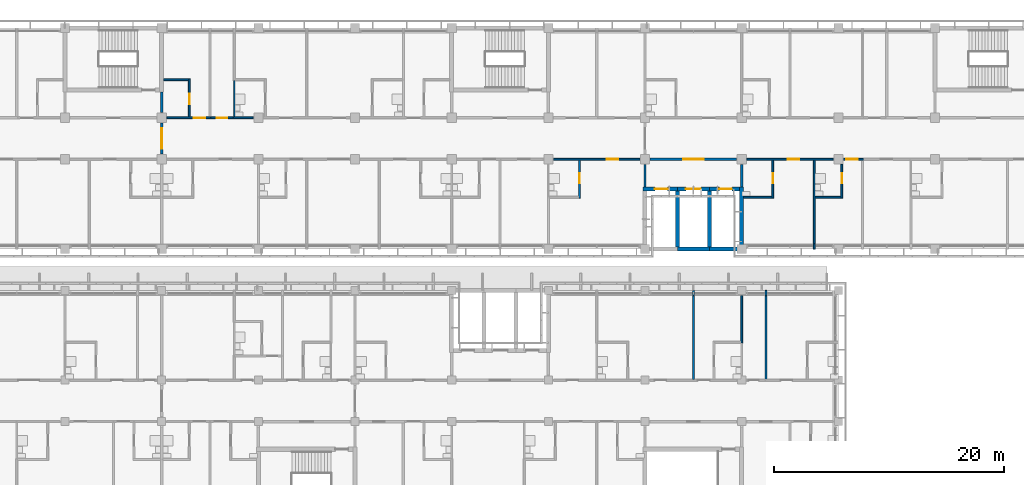
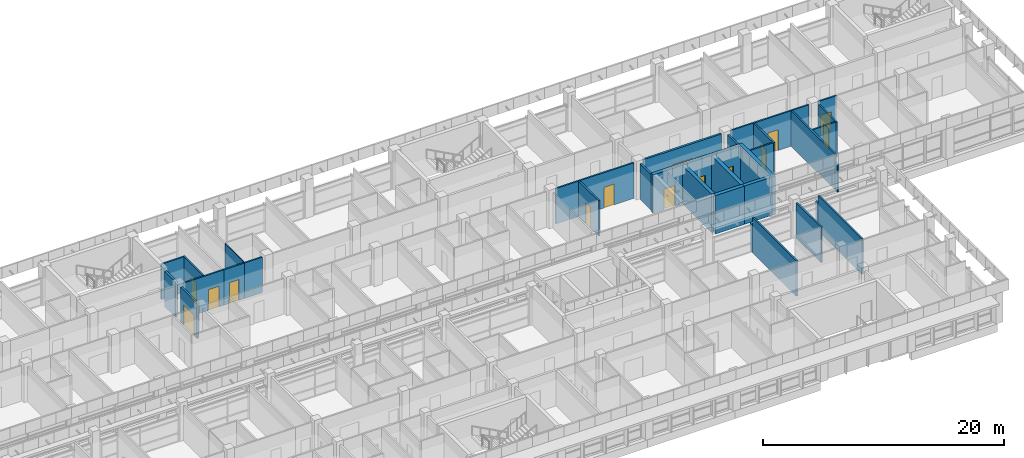
# One storey, part 37 of 71: 34 walls, 14 doors, 14 openings.
"""IFC4 building model written with IfcOpenShell, lengths in metres."""

import ifcopenshell
import ifcopenshell.guid

model = None  # the IFC model being written
_history = None  # IfcOwnerHistory: only IFC2X3 demands one
_inside = {}  # id of a spatial element -> (the spatial element, [elements in it])
_under = {}  # id of a project, library or spatial element -> (it, [spatial elements below it])
_declared = {}  # id of a project -> (the project, [libraries it declares])
_typed = {}  # id of a type object -> (the type object, [elements of that type])
_made_of = {}  # id of a material, layer set ... -> (it, [elements and type objects made of it])


def new_model(schema):
    """Start an empty IFC model of exactly this schema.

    Asked for "IFC4X3", IfcOpenShell would pick the latest addendum, in which some entities
    have other attributes; the version numbers below select the first issue.
    IFC2X3 requires an IfcOwnerHistory on every rooted entity: one is made here for all.
    """
    global model, _history
    if schema == "IFC4X3":
        model = ifcopenshell.file(schema_version=(4, 3, 0, 0))
    else:
        model = ifcopenshell.file(schema=schema)
    _inside.clear()
    _under.clear()
    _declared.clear()
    _typed.clear()
    _made_of.clear()
    _history = None
    if model.schema == "IFC2X3":
        org = make("IfcOrganization", Name="unknown")
        user = make(
            "IfcPersonAndOrganization",
            ThePerson=make("IfcPerson", FamilyName="unknown"),
            TheOrganization=org,
        )
        app = make(
            "IfcApplication",
            ApplicationDeveloper=org,
            Version="unknown",
            ApplicationFullName="unknown",
            ApplicationIdentifier="unknown",
        )
        _history = make(
            "IfcOwnerHistory",
            OwningUser=user,
            OwningApplication=app,
            ChangeAction="ADDED",
            CreationDate=0,
        )
    return model


def make(cls, **values):
    """One entity of the class cls with the attributes given. An attribute that is None is left unset."""
    return model.create_entity(
        cls, **{name: value for name, value in values.items() if value is not None}
    )


def rooted(cls, **values):
    """An entity with a GlobalId (a new one), such as an element, a storey or a relation."""
    return make(cls, GlobalId=ifcopenshell.guid.new(), OwnerHistory=_history, **values)


def si_unit(unit_type, name, prefix=None):
    """IfcSIUnit, for example si_unit("LENGTHUNIT", "METRE", prefix="MILLI")."""
    return make("IfcSIUnit", UnitType=unit_type, Prefix=prefix, Name=name)


def assignment(units):
    """IfcUnitAssignment: the units of a project."""
    return None if units is None else make("IfcUnitAssignment", Units=units)


def point(xyz):
    """IfcCartesianPoint."""
    return None if xyz is None else make("IfcCartesianPoint", Coordinates=xyz)


def direction(xyz):
    """IfcDirection."""
    return None if xyz is None else make("IfcDirection", DirectionRatios=xyz)


def frame(location, z_axis=None, x_axis=None):
    """IfcAxis2Placement3D, a coordinate frame: its origin and axes. An axis left out is left unset."""
    return make(
        "IfcAxis2Placement3D",
        Location=point(location),
        Axis=direction(z_axis),
        RefDirection=direction(x_axis),
    )


def frame_2d(location, x_axis=None):
    """IfcAxis2Placement2D, a coordinate frame in the plane: its origin and x axis."""
    return make(
        "IfcAxis2Placement2D", Location=point(location), RefDirection=direction(x_axis)
    )


def origin():
    """The frame at (0, 0, 0) with its axes left unset."""
    return frame((0.0, 0.0, 0.0))


def place(relative_to, where):
    """IfcLocalPlacement: puts the frame where relative to a parent placement (None: the world)."""
    return make(
        "IfcLocalPlacement", PlacementRelTo=relative_to, RelativePlacement=where
    )


def context(
    kind, dimensions, precision=None, world=None, true_north=None, identifier=None
):
    """IfcGeometricRepresentationContext, for example the 3D "Model" context."""
    return make(
        "IfcGeometricRepresentationContext",
        ContextIdentifier=identifier,
        ContextType=kind,
        CoordinateSpaceDimension=dimensions,
        Precision=precision,
        WorldCoordinateSystem=world,
        TrueNorth=true_north,
    )


def subcontext(parent, identifier, kind, view, scale=None):
    """IfcGeometricRepresentationSubContext, for example "Body" below "Model"."""
    return make(
        "IfcGeometricRepresentationSubContext",
        ContextIdentifier=identifier,
        ContextType=kind,
        ParentContext=parent,
        TargetScale=scale,
        TargetView=view,
    )


def project(units=None, contexts=None):
    """IfcProject with its units and contexts."""
    return rooted(
        "IfcProject",
        Name="project",
        RepresentationContexts=contexts,
        UnitsInContext=assignment(units),
    )


def spatial(cls, under=None, at=None, **own):
    """A site, building, storey or space (cls), placed at a placement, below another one or the project."""
    s = rooted(cls, ObjectPlacement=at, **own)
    if under is not None:
        _under.setdefault(under.id(), (under, []))[1].append(s)
    return s


def profile(cls, at=None, kind="AREA", **sizes):
    """A parametric profile (cls). Its sizes go by their IFC names, for example OverallWidth=200.0."""
    return make(cls, ProfileType=kind, Position=at, **sizes)


def rectangle(**sizes):
    """IfcRectangleProfileDef."""
    return profile("IfcRectangleProfileDef", **sizes)


def extrude(swept, where, along, depth):
    """IfcExtrudedAreaSolid: the profile swept, set in the frame where, extruded along a direction by depth."""
    return make(
        "IfcExtrudedAreaSolid",
        SweptArea=swept,
        Position=where,
        ExtrudedDirection=direction(along),
        Depth=depth,
    )


def shape(context_of_items, identifier, shape_type, items):
    """IfcShapeRepresentation: the items that make up one representation, for example the "Body"."""
    return make(
        "IfcShapeRepresentation",
        ContextOfItems=context_of_items,
        RepresentationIdentifier=identifier,
        RepresentationType=shape_type,
        Items=items,
    )


def material(Name=None, Category=None):
    """IfcMaterial."""
    return make("IfcMaterial", Name=Name, Category=Category)


def layer(
    of_material, thickness, ventilated=None, Name=None, Category=None, Priority=None
):
    """IfcMaterialLayer: one layer of a wall or slab, of a material (None: an air gap)."""
    return make(
        "IfcMaterialLayer",
        Material=of_material,
        LayerThickness=thickness,
        IsVentilated=ventilated,
        Name=Name,
        Category=Category,
        Priority=Priority,
    )


def layer_set(layers, Name=None):
    """IfcMaterialLayerSet."""
    return make("IfcMaterialLayerSet", MaterialLayers=layers, LayerSetName=Name)


def made_of(thing, what):
    """Note that an element or type object is made of a material, layer set ...; save() writes the relation."""
    if what is not None:
        _made_of.setdefault(what.id(), (what, []))[1].append(thing)
    return thing


def type_object(cls, material=None, **own):
    """A type object (cls), such as IfcWallType, which elements share."""
    return made_of(rooted(cls, **own), material)


def element(
    cls,
    number,
    at=None,
    inside=None,
    cuts=None,
    type_object=None,
    material=None,
    context=None,
    identifier="Body",
    shape_type=None,
    held_by="IfcProductDefinitionShape",
    body=None,
    shapes=None,
    **own,
):
    """One element of the class cls, such as IfcWall. Its Tag is "e" and its number.

    at: its placement. inside: the storey or other place that contains it. cuts: it is an
    opening in that element (IfcRelVoidsElement). A single representation is given by context,
    identifier, shape_type and body (its items); several are given by shapes. held_by: the class
    of the entity that holds the representations. save() writes the other relations.
    """
    e = rooted(cls, Tag="e%d" % number, ObjectPlacement=at, **own)
    if body is not None:
        shapes = [shape(context, identifier, shape_type, body)]
    if shapes is not None:
        e.Representation = make(held_by, Representations=shapes)
    if inside is not None:
        _inside.setdefault(inside.id(), (inside, []))[1].append(e)
    if cuts is not None:
        rooted(
            "IfcRelVoidsElement", RelatingBuildingElement=cuts, RelatedOpeningElement=e
        )
    if type_object is not None:
        _typed.setdefault(type_object.id(), (type_object, []))[1].append(e)
    return made_of(e, material)


def fill(opening, filler):
    """IfcRelFillsElement: the door or window that sits in an opening."""
    return rooted(
        "IfcRelFillsElement",
        RelatingOpeningElement=opening,
        RelatedBuildingElement=filler,
    )


def aggregate(whole, parts):
    """IfcRelAggregates: a whole, such as a stair, and the parts it consists of."""
    return rooted("IfcRelAggregates", RelatingObject=whole, RelatedObjects=parts)


def save(model, path):
    """Write the relations noted so far, then the file.

    IfcRelAggregates (storeys below a building ...), IfcRelContainedInSpatialStructure (elements
    in a storey), IfcRelDefinesByType, IfcRelAssociatesMaterial and IfcRelDeclares: one each for
    every whole, place, type object, material and project.
    """
    for whole, parts in _under.values():
        aggregate(whole, parts)
    for where, things in _inside.values():
        rooted(
            "IfcRelContainedInSpatialStructure",
            RelatedElements=things,
            RelatingStructure=where,
        )
    for kind, things in _typed.values():
        rooted("IfcRelDefinesByType", RelatedObjects=things, RelatingType=kind)
    for what, things in _made_of.values():
        rooted("IfcRelAssociatesMaterial", RelatedObjects=things, RelatingMaterial=what)
    for by, libraries in _declared.values():
        rooted("IfcRelDeclares", RelatingContext=by, RelatedDefinitions=libraries)
    model.write(path)


model = new_model("IFC4")

# Units and contexts
model_context = context("Model", 3, precision=1e-05, world=origin(), true_north=direction((0.0, 1.0)))
body_context = subcontext(model_context, "Body", "Model", "MODEL_VIEW")
ifc_project = project(units=[si_unit("LENGTHUNIT", "METRE"), si_unit("AREAUNIT", "SQUARE_METRE"), si_unit("VOLUMEUNIT", "CUBIC_METRE"), si_unit("PLANEANGLEUNIT", "RADIAN"), si_unit("MASSUNIT", "GRAM", prefix="KILO")], contexts=[model_context])

# Site, building, storey
site_placement = place(None, origin())
site = spatial("IfcSite", under=ifc_project, at=site_placement, CompositionType="ELEMENT")
building_placement = place(site_placement, origin())
building = spatial("IfcBuilding", under=site, at=building_placement, Name="Bougainvillea Quay General Hospital", CompositionType="ELEMENT")
storey_placement = place(building_placement, frame((0.0, 0.0, 24.89990234375)))
storey = spatial("IfcBuildingStorey", under=building, at=storey_placement, Name="L05", CompositionType="ELEMENT", Elevation=24.89990234375)

# Walls
ifc_material_1 = material(Name="Gypsum board partition on steel studs", Category="steel")
ifc_layer_1 = layer(ifc_material_1, 0.10009765625)
ifc_layer_set_1 = layer_set([ifc_layer_1], Name="Gypsum board partition on steel studs")
wall_type_1 = type_object("IfcWallType", Name="Partition 100 Gypsum board partition", PredefinedType="PARTITIONING", material=ifc_layer_set_1)
wall_1_placement = place(storey_placement, frame((115.5, 151.875, 0.0), z_axis=(0.0, 0.0, 1.0), x_axis=(0.0, 1.0, 0.0)))
element("IfcWall", 1, at=wall_1_placement, inside=storey, type_object=wall_type_1, Name="Partition 100 mm", PredefinedType="PARTITIONING", context=body_context, shape_type="SweptSolid", body=[
    extrude(rectangle(XDim=3.14990234375, YDim=0.10009765625, at=frame_2d((1.574951171875, 0.0))), origin(), (0.0, 0.0, 1.0), 3.60009765625),
])
ifc_material_2 = material(Name="Gypsum board partition on steel studs, insulated", Category="steel")
ifc_layer_2 = layer(ifc_material_2, 0.14990234375)
ifc_layer_set_2 = layer_set([ifc_layer_2], Name="Gypsum board partition on steel studs, insulated")
wall_type_2 = type_object("IfcWallType", Name="Partition 150 Gypsum board partition", PredefinedType="PARTITIONING", material=ifc_layer_set_2)
wall_2_placement = place(storey_placement, frame((155.39990234375, 129.074951171875, 0.0), z_axis=(0.0, 0.0, 1.0), x_axis=(0.0, 1.0, 0.0)))
element("IfcWall", 2, at=wall_2_placement, inside=storey, type_object=wall_type_2, Name="Partition 150 mm", PredefinedType="PARTITIONING", context=body_context, shape_type="SweptSolid", body=[
    extrude(rectangle(XDim=7.275146484375, YDim=0.14990234375, at=frame_2d((3.6376953125, 0.0))), origin(), (0.0, 0.0, 1.0), 3.60009765625),
])
wall_3_placement = place(storey_placement, frame((155.39990234375, 136.35009765625, 0.0), z_axis=(0.0, 0.0, 1.0), x_axis=(0.0, 1.0, 0.0)))
element("IfcWall", 3, at=wall_3_placement, inside=storey, type_object=wall_type_2, Name="Partition 150 mm", PredefinedType="PARTITIONING", context=body_context, shape_type="SweptSolid", body=[
    extrude(rectangle(XDim=0.449951171875, YDim=0.14990234375, at=frame_2d((0.22509765625, 0.0))), origin(), (0.0, 0.0, 1.0), 2.780029296875),
])
wall_4_placement = place(storey_placement, frame((161.699951171875, 129.074951171875, 0.0), z_axis=(0.0, 0.0, 1.0), x_axis=(0.0, 1.0, 0.0)))
element("IfcWall", 4, at=wall_4_placement, inside=storey, type_object=wall_type_2, Name="Partition 150 mm", PredefinedType="PARTITIONING", context=body_context, shape_type="SweptSolid", body=[
    extrude(rectangle(XDim=7.275146484375, YDim=0.14990234375, at=frame_2d((3.6376953125, 0.0))), origin(), (0.0, 0.0, 1.0), 3.60009765625),
])
wall_5_placement = place(storey_placement, frame((161.699951171875, 136.35009765625, 0.0), z_axis=(0.0, 0.0, 1.0), x_axis=(0.0, 1.0, 0.0)))
element("IfcWall", 5, at=wall_5_placement, inside=storey, type_object=wall_type_2, Name="Partition 150 mm", PredefinedType="PARTITIONING", context=body_context, shape_type="SweptSolid", body=[
    extrude(rectangle(XDim=0.449951171875, YDim=0.14990234375, at=frame_2d((0.22509765625, 0.0))), origin(), (0.0, 0.0, 1.0), 2.780029296875),
])
wall_6_placement = place(storey_placement, frame((165.89990234375, 140.39990234375, 0.0), z_axis=(0.0, 0.0, 1.0), x_axis=(0.0, 1.0, 0.0)))
element("IfcWall", 6, at=wall_6_placement, inside=storey, type_object=wall_type_2, Name="Partition 150 mm", PredefinedType="PARTITIONING", context=body_context, shape_type="SweptSolid", body=[
    extrude(rectangle(XDim=0.4501953125, YDim=0.14990234375, at=frame_2d((0.22509765625, 0.0))), origin(), (0.0, 0.0, 1.0), 2.780029296875),
])
wall_7_placement = place(storey_placement, frame((165.89990234375, 140.85009765625, 0.0), z_axis=(0.0, 0.0, 1.0), x_axis=(0.0, 1.0, 0.0)))
element("IfcWall", 7, at=wall_7_placement, inside=storey, type_object=wall_type_2, Name="Partition 150 mm", PredefinedType="PARTITIONING", context=body_context, shape_type="SweptSolid", body=[
    extrude(rectangle(XDim=7.27490234375, YDim=0.14990234375, at=frame_2d((3.637451171875, 0.0))), origin(), (0.0, 0.0, 1.0), 3.60009765625),
])
wall_8_placement = place(storey_placement, frame((159.60009765625, 132.22509765625, 0.0), z_axis=(0.0, 0.0, 1.0), x_axis=(0.0, 1.0, 0.0)))
element("IfcWall", 8, at=wall_8_placement, inside=storey, type_object=wall_type_2, Name="Partition 150 mm", PredefinedType="PARTITIONING", context=body_context, shape_type="SweptSolid", body=[
    extrude(rectangle(XDim=4.125, YDim=0.14990234375, at=frame_2d((2.0625, 0.0))), origin(), (0.0, 0.0, 1.0), 3.60009765625),
])

# Wall, opening, door
wall_9_placement = place(storey_placement, frame((111.60009765625, 151.875, 0.0), z_axis=(0.0, 0.0, 1.0), x_axis=(0.0, 1.0, 0.0)))
wall_9 = element("IfcWall", 9, at=wall_9_placement, inside=storey, type_object=wall_type_2, Name="Partition 150 mm", PredefinedType="PARTITIONING", context=body_context, shape_type="SweptSolid", body=[
    extrude(rectangle(XDim=3.300048828125, YDim=0.14990234375, at=frame_2d((1.64990234375, 0.0))), origin(), (0.0, 0.0, 1.0), 3.60009765625),
])
opening_1_placement = place(wall_9_placement, frame((1.125, 0.0, 0.0)))
opening_1 = element("IfcOpeningElement", 10, at=opening_1_placement, cuts=wall_9, Name="Opening L05.044", PredefinedType="OPENING", context=body_context, shape_type="SweptSolid", body=[
    extrude(rectangle(XDim=0.89990234375, YDim=2.10009765625, at=frame_2d((0.449951171875, 1.050048828125))), frame((0.0, 0.0849609375, 0.0), z_axis=(0.0, -1.0, 0.0), x_axis=(1.0, 0.0, 0.0)), (0.0, 0.0, 1.0), 0.169921875),
])
ifc_material_3 = material(Name="Solid-core timber door leaf in steel frame", Category="steel")
door_type_1 = type_object("IfcDoorType", Name="Single leaf door 900x2100", OperationType="NOTDEFINED", PredefinedType="DOOR", material=ifc_material_3)
door_1_placement = place(opening_1_placement, origin())
door_1 = element("IfcDoor", 11, at=door_1_placement, inside=storey, type_object=door_type_1, Name="DT07 L05.044", OperationType="SINGLE_SWING_LEFT", OverallHeight=2.10009765625, OverallWidth=0.89990234375, PredefinedType="DOOR", context=body_context, shape_type="SweptSolid", body=[
    extrude(rectangle(XDim=0.89990234375, YDim=2.10009765625, at=frame_2d((0.449951171875, 1.050048828125))), frame((0.0, 0.02490234375, 0.0), z_axis=(0.0, -1.0, 0.0), x_axis=(1.0, 0.0, 0.0)), (0.0, 0.0, 1.0), 0.050048828125),
])
fill(opening_1, door_1)

wall_10_placement = place(storey_placement, frame((145.5, 144.824951171875, 0.0), z_axis=(0.0, 0.0, 1.0), x_axis=(0.0, 1.0, 0.0)))
wall_10 = element("IfcWall", 12, at=wall_10_placement, inside=storey, type_object=wall_type_2, Name="Partition 150 mm", PredefinedType="PARTITIONING", context=body_context, shape_type="SweptSolid", body=[
    extrude(rectangle(XDim=3.300048828125, YDim=0.14990234375, at=frame_2d((1.64990234375, 0.0))), origin(), (0.0, 0.0, 1.0), 3.60009765625),
])
opening_2_placement = place(wall_10_placement, frame((1.27490234375, 0.0, 0.0)))
opening_2 = element("IfcOpeningElement", 13, at=opening_2_placement, cuts=wall_10, Name="Opening L05.042", PredefinedType="OPENING", context=body_context, shape_type="SweptSolid", body=[
    extrude(rectangle(XDim=0.89990234375, YDim=2.10009765625, at=frame_2d((0.449951171875, 1.050048828125))), frame((0.0, 0.0849609375, 0.0), z_axis=(0.0, -1.0, 0.0), x_axis=(1.0, 0.0, 0.0)), (0.0, 0.0, 1.0), 0.169921875),
])
door_2_placement = place(opening_2_placement, origin())
door_2 = element("IfcDoor", 14, at=door_2_placement, inside=storey, type_object=door_type_1, Name="DT07 L05.042", OperationType="SINGLE_SWING_RIGHT", OverallHeight=2.10009765625, OverallWidth=0.89990234375, PredefinedType="DOOR", context=body_context, shape_type="SweptSolid", body=[
    extrude(rectangle(XDim=0.89990234375, YDim=2.10009765625, at=frame_2d((0.449951171875, 1.050048828125))), frame((0.0, 0.02490234375, 0.0), z_axis=(0.0, -1.0, 0.0), x_axis=(1.0, 0.0, 0.0)), (0.0, 0.0, 1.0), 0.050048828125),
])
fill(opening_2, door_2)

wall_11_placement = place(storey_placement, frame((162.300048828125, 144.824951171875, 0.0), z_axis=(0.0, 0.0, 1.0), x_axis=(0.0, 1.0, 0.0)))
wall_11 = element("IfcWall", 15, at=wall_11_placement, inside=storey, type_object=wall_type_2, Name="Partition 150 mm", PredefinedType="PARTITIONING", context=body_context, shape_type="SweptSolid", body=[
    extrude(rectangle(XDim=3.300048828125, YDim=0.14990234375, at=frame_2d((1.64990234375, 0.0))), origin(), (0.0, 0.0, 1.0), 3.60009765625),
])
opening_3_placement = place(wall_11_placement, frame((1.27490234375, 0.0, 0.0)))
opening_3 = element("IfcOpeningElement", 16, at=opening_3_placement, cuts=wall_11, Name="Opening L05.060", PredefinedType="OPENING", context=body_context, shape_type="SweptSolid", body=[
    extrude(rectangle(XDim=0.89990234375, YDim=2.10009765625, at=frame_2d((0.449951171875, 1.050048828125))), frame((0.0, 0.0849609375, 0.0), z_axis=(0.0, -1.0, 0.0), x_axis=(1.0, 0.0, 0.0)), (0.0, 0.0, 1.0), 0.169921875),
])
door_3_placement = place(opening_3_placement, origin())
door_3 = element("IfcDoor", 17, at=door_3_placement, inside=storey, type_object=door_type_1, Name="DT07 L05.060", OperationType="SINGLE_SWING_RIGHT", OverallHeight=2.10009765625, OverallWidth=0.89990234375, PredefinedType="DOOR", context=body_context, shape_type="SweptSolid", body=[
    extrude(rectangle(XDim=0.89990234375, YDim=2.10009765625, at=frame_2d((0.449951171875, 1.050048828125))), frame((0.0, 0.02490234375, 0.0), z_axis=(0.0, -1.0, 0.0), x_axis=(1.0, 0.0, 0.0)), (0.0, 0.0, 1.0), 0.050048828125),
])
fill(opening_3, door_3)

wall_12_placement = place(storey_placement, frame((168.300048828125, 144.824951171875, 0.0), z_axis=(0.0, 0.0, 1.0), x_axis=(0.0, 1.0, 0.0)))
wall_12 = element("IfcWall", 18, at=wall_12_placement, inside=storey, type_object=wall_type_2, Name="Partition 150 mm", PredefinedType="PARTITIONING", context=body_context, shape_type="SweptSolid", body=[
    extrude(rectangle(XDim=2.925048828125, YDim=0.14990234375, at=frame_2d((1.46240234375, 0.0))), origin(), (0.0, 0.0, 1.0), 3.60009765625),
])
opening_4_placement = place(wall_12_placement, frame((1.27490234375, 0.0, 0.0)))
opening_4 = element("IfcOpeningElement", 19, at=opening_4_placement, cuts=wall_12, Name="Opening L05.062", PredefinedType="OPENING", context=body_context, shape_type="SweptSolid", body=[
    extrude(rectangle(XDim=0.89990234375, YDim=2.10009765625, at=frame_2d((0.449951171875, 1.050048828125))), frame((0.0, 0.0849609375, 0.0), z_axis=(0.0, -1.0, 0.0), x_axis=(1.0, 0.0, 0.0)), (0.0, 0.0, 1.0), 0.169921875),
])
door_4_placement = place(opening_4_placement, origin())
door_4 = element("IfcDoor", 20, at=door_4_placement, inside=storey, type_object=door_type_1, Name="DT07 L05.062", OperationType="SINGLE_SWING_RIGHT", OverallHeight=2.10009765625, OverallWidth=0.89990234375, PredefinedType="DOOR", context=body_context, shape_type="SweptSolid", body=[
    extrude(rectangle(XDim=0.89990234375, YDim=2.10009765625, at=frame_2d((0.449951171875, 1.050048828125))), frame((0.0, 0.02490234375, 0.0), z_axis=(0.0, -1.0, 0.0), x_axis=(1.0, 0.0, 0.0)), (0.0, 0.0, 1.0), 0.050048828125),
])
fill(opening_4, door_4)

# Walls
wall_13_placement = place(storey_placement, frame((159.77490234375, 144.89990234375, 0.0), z_axis=(0.0, 0.0, 1.0), x_axis=(1.0, 0.0, 0.0)))
element("IfcWall", 21, at=wall_13_placement, inside=storey, type_object=wall_type_2, Name="Partition 150 mm", PredefinedType="PARTITIONING", context=body_context, shape_type="SweptSolid", body=[
    extrude(rectangle(XDim=2.4501953125, YDim=0.14990234375, at=frame_2d((1.22509765625, 0.0))), origin(), (0.0, 0.0, 1.0), 3.60009765625),
])
wall_14_placement = place(storey_placement, frame((165.97509765625, 144.89990234375, 0.0), z_axis=(0.0, 0.0, 1.0), x_axis=(1.0, 0.0, 0.0)))
element("IfcWall", 22, at=wall_14_placement, inside=storey, type_object=wall_type_2, Name="Partition 150 mm", PredefinedType="PARTITIONING", context=body_context, shape_type="SweptSolid", body=[
    extrude(rectangle(XDim=2.25, YDim=0.14990234375, at=frame_2d((1.125, 0.0))), origin(), (0.0, 0.0, 1.0), 3.60009765625),
])
wall_15_placement = place(storey_placement, frame((109.375, 155.10009765625, 0.0), z_axis=(0.0, 0.0, 1.0), x_axis=(1.0, 0.0, 0.0)))
element("IfcWall", 23, at=wall_15_placement, inside=storey, type_object=wall_type_2, Name="Partition 150 mm", PredefinedType="PARTITIONING", context=body_context, shape_type="SweptSolid", body=[
    extrude(rectangle(XDim=2.14990234375, YDim=0.14990234375, at=frame_2d((1.074951171875, 0.0))), origin(), (0.0, 0.0, 1.0), 3.60009765625),
])
ifc_layer_3 = layer(ifc_material_2, 0.14990234375)
ifc_layer_set_3 = layer_set([ifc_layer_3], Name="Gypsum board partition on steel studs, insulated")
wall_type_3 = type_object("IfcWallType", Name="Partition 150 Gypsum board partition EI 30", PredefinedType="PARTITIONING", material=ifc_layer_set_3)
wall_16_placement = place(storey_placement, frame((117.14990234375, 151.800048828125, 0.0), z_axis=(0.0, 0.0, 1.0), x_axis=(-1.0, 0.0, 0.0)))
element("IfcWall", 24, at=wall_16_placement, inside=storey, type_object=wall_type_3, Name="Partition 150 mm EI 30", PredefinedType="PARTITIONING", context=body_context, shape_type="SweptSolid", body=[
    extrude(rectangle(XDim=1.724853515625, YDim=0.14990234375, at=frame_2d((0.8623046875, 0.0))), origin(), (0.0, 0.0, 1.0), 3.60009765625),
])

# Wall, opening, door
wall_17_placement = place(storey_placement, frame((170.175048828125, 148.199951171875, 0.0), z_axis=(0.0, 0.0, 1.0), x_axis=(-1.0, 0.0, 0.0)))
wall_17 = element("IfcWall", 25, at=wall_17_placement, inside=storey, type_object=wall_type_3, Name="Partition 150 mm EI 30", PredefinedType="PARTITIONING", context=body_context, shape_type="SweptSolid", body=[
    extrude(rectangle(XDim=1.72509765625, YDim=0.14990234375, at=frame_2d((0.862548828125, 0.0))), origin(), (0.0, 0.0, 1.0), 3.60009765625),
])
opening_5_placement = place(wall_17_placement, frame((0.47509765625, 0.0, 0.0)))
opening_5 = element("IfcOpeningElement", 26, at=opening_5_placement, cuts=wall_17, Name="Opening L05.061", PredefinedType="OPENING", context=body_context, shape_type="SweptSolid", body=[
    extrude(rectangle(XDim=1.0, YDim=2.10009765625, at=frame_2d((0.5, 1.050048828125))), frame((0.0, 0.0849609375, 0.0), z_axis=(0.0, -1.0, 0.0), x_axis=(1.0, 0.0, 0.0)), (0.0, 0.0, 1.0), 0.169921875),
])
door_type_2 = type_object("IfcDoorType", Name="Single leaf door 1000x2100 FD30S", OperationType="NOTDEFINED", PredefinedType="DOOR", material=ifc_material_3)
door_5_placement = place(opening_5_placement, origin())
door_5 = element("IfcDoor", 27, at=door_5_placement, inside=storey, type_object=door_type_2, Name="DT15 L05.061", OperationType="SINGLE_SWING_RIGHT", OverallHeight=2.10009765625, OverallWidth=1.0, PredefinedType="DOOR", context=body_context, shape_type="SweptSolid", body=[
    extrude(rectangle(XDim=1.0, YDim=2.10009765625, at=frame_2d((0.5, 1.050048828125))), frame((0.0, 0.02490234375, 0.0), z_axis=(0.0, -1.0, 0.0), x_axis=(1.0, 0.0, 0.0)), (0.0, 0.0, 1.0), 0.050048828125),
])
fill(opening_5, door_5)

wall_18_placement = place(storey_placement, frame((167.550048828125, 148.199951171875, 0.0), z_axis=(0.0, 0.0, 1.0), x_axis=(-1.0, 0.0, 0.0)))
wall_18 = element("IfcWall", 28, at=wall_18_placement, inside=storey, type_object=wall_type_3, Name="Partition 150 mm EI 30", PredefinedType="PARTITIONING", context=body_context, shape_type="SweptSolid", body=[
    extrude(rectangle(XDim=7.5, YDim=0.14990234375, at=frame_2d((3.75, 0.0))), origin(), (0.0, 0.0, 1.0), 3.60009765625),
])
opening_6_placement = place(wall_18_placement, frame((2.949951171875, 0.0, 0.0)))
opening_6 = element("IfcOpeningElement", 29, at=opening_6_placement, cuts=wall_18, Name="Opening L05.059", PredefinedType="OPENING", context=body_context, shape_type="SweptSolid", body=[
    extrude(rectangle(XDim=1.0, YDim=2.10009765625, at=frame_2d((0.5, 1.050048828125))), frame((0.0, 0.0849609375, 0.0), z_axis=(0.0, -1.0, 0.0), x_axis=(1.0, 0.0, 0.0)), (0.0, 0.0, 1.0), 0.169921875),
])
door_6_placement = place(opening_6_placement, origin())
door_6 = element("IfcDoor", 30, at=door_6_placement, inside=storey, type_object=door_type_2, Name="DT15 L05.059", OperationType="SINGLE_SWING_LEFT", OverallHeight=2.10009765625, OverallWidth=1.0, PredefinedType="DOOR", context=body_context, shape_type="SweptSolid", body=[
    extrude(rectangle(XDim=1.0, YDim=2.10009765625, at=frame_2d((0.5, 1.050048828125))), frame((0.0, 0.02490234375, 0.0), z_axis=(0.0, -1.0, 0.0), x_axis=(1.0, 0.0, 0.0)), (0.0, 0.0, 1.0), 0.050048828125),
])
fill(opening_6, door_6)

wall_19_placement = place(storey_placement, frame((143.25, 148.199951171875, 0.0), z_axis=(0.0, 0.0, 1.0), x_axis=(1.0, 0.0, 0.0)))
wall_19 = element("IfcWall", 31, at=wall_19_placement, inside=storey, type_object=wall_type_3, Name="Partition 150 mm EI 30", PredefinedType="PARTITIONING", context=body_context, shape_type="SweptSolid", body=[
    extrude(rectangle(XDim=7.5, YDim=0.14990234375, at=frame_2d((3.75, 0.0))), origin(), (0.0, 0.0, 1.0), 3.60009765625),
])
opening_7_placement = place(wall_19_placement, frame((4.60009765625, 0.0, 0.0)))
opening_7 = element("IfcOpeningElement", 32, at=opening_7_placement, cuts=wall_19, Name="Opening L05.041", PredefinedType="OPENING", context=body_context, shape_type="SweptSolid", body=[
    extrude(rectangle(XDim=1.0, YDim=2.10009765625, at=frame_2d((0.5, 1.050048828125))), frame((0.0, 0.0849609375, 0.0), z_axis=(0.0, -1.0, 0.0), x_axis=(1.0, 0.0, 0.0)), (0.0, 0.0, 1.0), 0.169921875),
])
door_7_placement = place(opening_7_placement, frame((1.0, 0.0, 0.0), z_axis=(0.0, 0.0, 1.0), x_axis=(-1.0, 0.0, 0.0)))
door_7 = element("IfcDoor", 33, at=door_7_placement, inside=storey, type_object=door_type_2, Name="DT15 L05.041", OperationType="SINGLE_SWING_LEFT", OverallHeight=2.10009765625, OverallWidth=1.0, PredefinedType="DOOR", context=body_context, shape_type="SweptSolid", body=[
    extrude(rectangle(XDim=1.0, YDim=2.10009765625, at=frame_2d((0.5, 1.050048828125))), frame((0.0, 0.02490234375, 0.0), z_axis=(0.0, -1.0, 0.0), x_axis=(1.0, 0.0, 0.0)), (0.0, 0.0, 1.0), 0.050048828125),
])
fill(opening_7, door_7)

wall_20_placement = place(storey_placement, frame((109.64990234375, 151.800048828125, 0.0), z_axis=(0.0, 0.0, 1.0), x_axis=(1.0, 0.0, 0.0)))
wall_20 = element("IfcWall", 34, at=wall_20_placement, inside=storey, type_object=wall_type_3, Name="Partition 150 mm EI 30", PredefinedType="PARTITIONING", context=body_context, shape_type="SweptSolid", body=[
    extrude(rectangle(XDim=3.8251953125, YDim=0.14990234375, at=frame_2d((1.91259765625, 0.0))), origin(), (0.0, 0.0, 1.0), 3.60009765625),
])
opening_8_placement = place(wall_20_placement, frame((2.35009765625, 0.0, 0.0)))
opening_8 = element("IfcOpeningElement", 35, at=opening_8_placement, cuts=wall_20, Name="Opening L05.043", PredefinedType="OPENING", context=body_context, shape_type="SweptSolid", body=[
    extrude(rectangle(XDim=1.0, YDim=2.10009765625, at=frame_2d((0.5, 1.050048828125))), frame((0.0, 0.0849609375, 0.0), z_axis=(0.0, -1.0, 0.0), x_axis=(1.0, 0.0, 0.0)), (0.0, 0.0, 1.0), 0.169921875),
])
door_8_placement = place(opening_8_placement, origin())
door_8 = element("IfcDoor", 36, at=door_8_placement, inside=storey, type_object=door_type_2, Name="DT15 L05.043", OperationType="SINGLE_SWING_RIGHT", OverallHeight=2.10009765625, OverallWidth=1.0, PredefinedType="DOOR", context=body_context, shape_type="SweptSolid", body=[
    extrude(rectangle(XDim=1.0, YDim=2.10009765625, at=frame_2d((0.5, 1.050048828125))), frame((0.0, 0.02490234375, 0.0), z_axis=(0.0, -1.0, 0.0), x_axis=(1.0, 0.0, 0.0)), (0.0, 0.0, 1.0), 0.050048828125),
])
fill(opening_8, door_8)

ifc_layer_4 = layer(ifc_material_2, 0.14990234375)
ifc_layer_set_4 = layer_set([ifc_layer_4], Name="Gypsum board partition on steel studs, insulated")
wall_type_4 = type_object("IfcWallType", Name="Partition 150 Gypsum board partition EI 60", PredefinedType="PARTITIONING", material=ifc_layer_set_4)
wall_21_placement = place(storey_placement, frame((113.47509765625, 151.800048828125, 0.0), z_axis=(0.0, 0.0, 1.0), x_axis=(1.0, 0.0, 0.0)))
wall_21 = element("IfcWall", 37, at=wall_21_placement, inside=storey, type_object=wall_type_4, Name="Partition 150 mm EI 60", PredefinedType="PARTITIONING", context=body_context, shape_type="SweptSolid", body=[
    extrude(rectangle(XDim=1.949951171875, YDim=0.14990234375, at=frame_2d((0.97509765625, 0.0))), origin(), (0.0, 0.0, 1.0), 3.60009765625),
])
opening_9_placement = place(wall_21_placement, frame((0.52490234375, 0.0, 0.0)))
opening_9 = element("IfcOpeningElement", 38, at=opening_9_placement, cuts=wall_21, Name="Opening L05.045", PredefinedType="OPENING", context=body_context, shape_type="SweptSolid", body=[
    extrude(rectangle(XDim=0.89990234375, YDim=2.10009765625, at=frame_2d((0.449951171875, 1.050048828125))), frame((0.0, 0.0849609375, 0.0), z_axis=(0.0, -1.0, 0.0), x_axis=(1.0, 0.0, 0.0)), (0.0, 0.0, 1.0), 0.169921875),
])
door_type_3 = type_object("IfcDoorType", Name="Single leaf door 900x2100 FD60", OperationType="NOTDEFINED", PredefinedType="DOOR", material=ifc_material_3)
door_9_placement = place(opening_9_placement, origin())
door_9 = element("IfcDoor", 39, at=door_9_placement, inside=storey, type_object=door_type_3, Name="DT18 L05.045", OperationType="SINGLE_SWING_RIGHT", OverallHeight=2.10009765625, OverallWidth=0.89990234375, PredefinedType="DOOR", context=body_context, shape_type="SweptSolid", body=[
    extrude(rectangle(XDim=0.89990234375, YDim=2.10009765625, at=frame_2d((0.449951171875, 1.050048828125))), frame((0.0, 0.02490234375, 0.0), z_axis=(0.0, -1.0, 0.0), x_axis=(1.0, 0.0, 0.0)), (0.0, 0.0, 1.0), 0.050048828125),
])
fill(opening_9, door_9)

# Walls
ifc_material_4 = material(Name="Fire-rated autoclaved aerated block wall, plastered")
ifc_layer_5 = layer(ifc_material_4, 0.199951171875)
ifc_layer_set_5 = layer_set([ifc_layer_5], Name="Fire-rated autoclaved aerated block wall, plastered")
wall_type_5 = type_object("IfcWallType", Name="Partition 200 Fire-rated autoclaved aerated block wall EI 120", PredefinedType="SOLIDWALL", material=ifc_layer_set_5)
wall_22_placement = place(storey_placement, frame((151.199951171875, 147.75, 0.0), z_axis=(0.0, 0.0, 1.0), x_axis=(0.0, -1.0, 0.0)))
element("IfcWall", 40, at=wall_22_placement, inside=storey, type_object=wall_type_5, Name="Partition 200 mm EI 120", PredefinedType="SOLIDWALL", context=body_context, shape_type="SweptSolid", body=[
    extrude(rectangle(XDim=1.97509765625, YDim=0.199951171875, at=frame_2d((0.987548828125, 0.0))), origin(), (0.0, 0.0, 1.0), 3.60009765625),
])
wall_23_placement = place(storey_placement, frame((109.199951171875, 154.02490234375, 0.0), z_axis=(0.0, 0.0, 1.0), x_axis=(0.0, -1.0, 0.0)))
element("IfcWall", 41, at=wall_23_placement, inside=storey, type_object=wall_type_5, Name="Partition 200 mm EI 120", PredefinedType="SOLIDWALL", context=body_context, shape_type="SweptSolid", body=[
    extrude(rectangle(XDim=1.77490234375, YDim=0.199951171875, at=frame_2d((0.887451171875, 0.0))), origin(), (0.0, 0.0, 1.0), 3.60009765625),
])

# Wall, opening, door
wall_24_placement = place(storey_placement, frame((109.199951171875, 151.35009765625, 0.0), z_axis=(0.0, 0.0, 1.0), x_axis=(0.0, -1.0, 0.0)))
wall_24 = element("IfcWall", 42, at=wall_24_placement, inside=storey, type_object=wall_type_5, Name="Partition 200 mm EI 120", PredefinedType="SOLIDWALL", context=body_context, shape_type="SweptSolid", body=[
    extrude(rectangle(XDim=2.7001953125, YDim=0.199951171875, at=frame_2d((1.35009765625, 0.0))), origin(), (0.0, 0.0, 1.0), 3.60009765625),
])
opening_10_placement = place(wall_24_placement, frame((0.449951171875, 0.0, 0.0)))
opening_10 = element("IfcOpeningElement", 43, at=opening_10_placement, cuts=wall_24, Name="Opening L05.002", PredefinedType="OPENING", context=body_context, shape_type="SweptSolid", body=[
    extrude(rectangle(XDim=1.800048828125, YDim=2.10009765625, at=frame_2d((0.89990234375, 1.050048828125))), frame((0.0, 0.10986328125, 0.0), z_axis=(0.0, -1.0, 0.0), x_axis=(1.0, 0.0, 0.0)), (0.0, 0.0, 1.0), 0.219970703125),
])
ifc_material_5 = material(Name="Steel fire door leaves in steel frame", Category="steel")
door_type_4 = type_object("IfcDoorType", Name="Steel double leaf door 1800x2100 FD90", OperationType="DOUBLE_DOOR_SINGLE_SWING", PredefinedType="DOOR", material=ifc_material_5)
door_10_placement = place(opening_10_placement, origin())
door_10 = element("IfcDoor", 44, at=door_10_placement, inside=storey, type_object=door_type_4, Name="DT03 L05.002", OperationType="DOUBLE_DOOR_SINGLE_SWING", OverallHeight=2.10009765625, OverallWidth=1.800048828125, PredefinedType="DOOR", context=body_context, shape_type="SweptSolid", body=[
    extrude(rectangle(XDim=1.800048828125, YDim=2.10009765625, at=frame_2d((0.89990234375, 1.050048828125))), frame((0.0, 0.02490234375, 0.0), z_axis=(0.0, -1.0, 0.0), x_axis=(1.0, 0.0, 0.0)), (0.0, 0.0, 1.0), 0.050048828125),
])
fill(opening_10, door_10)

wall_25_placement = place(storey_placement, frame((151.64990234375, 148.199951171875, 0.0), z_axis=(0.0, 0.0, 1.0), x_axis=(1.0, 0.0, 0.0)))
wall_25 = element("IfcWall", 45, at=wall_25_placement, inside=storey, type_object=wall_type_5, Name="Partition 200 mm EI 120", PredefinedType="SOLIDWALL", context=body_context, shape_type="SweptSolid", body=[
    extrude(rectangle(XDim=7.5, YDim=0.199951171875, at=frame_2d((3.75, 0.0))), origin(), (0.0, 0.0, 1.0), 3.60009765625),
])
opening_11_placement = place(wall_25_placement, frame((2.85009765625, 0.0, 0.0)))
opening_11 = element("IfcOpeningElement", 46, at=opening_11_placement, cuts=wall_25, Name="Opening L05.073", PredefinedType="OPENING", context=body_context, shape_type="SweptSolid", body=[
    extrude(rectangle(XDim=1.800048828125, YDim=2.10009765625, at=frame_2d((0.89990234375, 1.050048828125))), frame((0.0, 0.10986328125, 0.0), z_axis=(0.0, -1.0, 0.0), x_axis=(1.0, 0.0, 0.0)), (0.0, 0.0, 1.0), 0.219970703125),
])
door_type_5 = type_object("IfcDoorType", Name="Steel double leaf door 1800x2100 FD60", OperationType="DOUBLE_DOOR_SINGLE_SWING", PredefinedType="DOOR", material=ifc_material_5)
door_11_placement = place(opening_11_placement, frame((1.800048828125, 0.0, 0.0), z_axis=(0.0, 0.0, 1.0), x_axis=(-1.0, 0.0, 0.0)))
door_11 = element("IfcDoor", 47, at=door_11_placement, inside=storey, type_object=door_type_5, Name="DT05 L05.073", OperationType="DOUBLE_DOOR_SINGLE_SWING", OverallHeight=2.10009765625, OverallWidth=1.800048828125, PredefinedType="DOOR", context=body_context, shape_type="SweptSolid", body=[
    extrude(rectangle(XDim=1.800048828125, YDim=2.10009765625, at=frame_2d((0.89990234375, 1.050048828125))), frame((0.0, 0.02490234375, 0.0), z_axis=(0.0, -1.0, 0.0), x_axis=(1.0, 0.0, 0.0)), (0.0, 0.0, 1.0), 0.050048828125),
])
fill(opening_11, door_11)

# Wall
wall_26_placement = place(storey_placement, frame((159.60009765625, 145.77490234375, 0.0), z_axis=(0.0, 0.0, 1.0), x_axis=(0.0, 1.0, 0.0)))
element("IfcWall", 48, at=wall_26_placement, inside=storey, type_object=wall_type_5, Name="Partition 200 mm EI 120", PredefinedType="SOLIDWALL", context=body_context, shape_type="SweptSolid", body=[
    extrude(rectangle(XDim=1.97509765625, YDim=0.199951171875, at=frame_2d((0.987548828125, 0.0))), origin(), (0.0, 0.0, 1.0), 3.60009765625),
])

# Wall, opening, door
ifc_material_6 = material(Name="Concrete C40", Category="concrete")
ifc_layer_6 = layer(ifc_material_6, 0.35009765625)
ifc_layer_set_6 = layer_set([ifc_layer_6], Name="Concrete C40")
wall_type_6 = type_object("IfcWallType", Name="RC SHEAR WALL 350 C40", PredefinedType="SHEAR", material=ifc_layer_set_6)
wall_27_placement = place(storey_placement, frame((151.02490234375, 145.60009765625, 0.0), z_axis=(0.0, 0.0, 1.0), x_axis=(1.0, 0.0, 0.0)))
wall_27 = element("IfcWall", 49, at=wall_27_placement, inside=storey, type_object=wall_type_6, Name="Shear wall L05", PredefinedType="SHEAR", context=body_context, shape_type="SweptSolid", body=[
    extrude(rectangle(XDim=2.97509765625, YDim=0.35009765625, at=frame_2d((1.487548828125, 0.0))), origin(), (0.0, 0.0, 1.0), 3.900146484375),
])
opening_12_placement = place(wall_27_placement, frame((1.02490234375, 0.0, 0.0)))
opening_12 = element("IfcOpeningElement", 50, at=opening_12_placement, cuts=wall_27, Name="Opening LD-A2.1-L05", PredefinedType="OPENING", context=body_context, shape_type="SweptSolid", body=[
    extrude(rectangle(XDim=1.10009765625, YDim=2.10009765625, at=frame_2d((0.550048828125, 1.050048828125))), frame((0.0, 0.18505859375, 0.0), z_axis=(0.0, -1.0, 0.0), x_axis=(1.0, 0.0, 0.0)), (0.0, 0.0, 1.0), 0.3701171875),
])
ifc_material_7 = material(Name="Stainless steel centre-opening landing door", Category="steel")
door_type_6 = type_object("IfcDoorType", Name="Lift landing door 1100x2100 E 120", OperationType="DOUBLE_DOOR_SLIDING", PredefinedType="DOOR", material=ifc_material_7)
door_12_placement = place(opening_12_placement, origin())
door_12 = element("IfcDoor", 51, at=door_12_placement, inside=storey, type_object=door_type_6, Name="Lift landing door LB-A2-1 L05", OperationType="DOUBLE_DOOR_SLIDING", OverallHeight=2.10009765625, OverallWidth=1.10009765625, PredefinedType="DOOR", context=body_context, shape_type="SweptSolid", body=[
    extrude(rectangle(XDim=1.10009765625, YDim=2.10009765625, at=frame_2d((0.550048828125, 1.050048828125))), frame((0.0, 0.02490234375, 0.0), z_axis=(0.0, -1.0, 0.0), x_axis=(1.0, 0.0, 0.0)), (0.0, 0.0, 1.0), 0.050048828125),
])
fill(opening_12, door_12)

# Walls
wall_28_placement = place(storey_placement, frame((154.0, 140.39990234375, 0.0), z_axis=(0.0, 0.0, 1.0), x_axis=(1.0, 0.0, 0.0)))
element("IfcWall", 52, at=wall_28_placement, inside=storey, type_object=wall_type_6, Name="Shear wall L05", PredefinedType="SHEAR", context=body_context, shape_type="SweptSolid", body=[
    extrude(rectangle(XDim=2.800048828125, YDim=0.35009765625, at=frame_2d((1.39990234375, 0.0))), origin(), (0.0, 0.0, 1.0), 3.900146484375),
])
wall_29_placement = place(storey_placement, frame((154.0, 140.574951171875, 0.0), z_axis=(0.0, 0.0, 1.0), x_axis=(0.0, 1.0, 0.0)))
element("IfcWall", 53, at=wall_29_placement, inside=storey, type_object=wall_type_6, Name="Shear wall L05", PredefinedType="SHEAR", context=body_context, shape_type="SweptSolid", body=[
    extrude(rectangle(XDim=4.85009765625, YDim=0.35009765625, at=frame_2d((2.425048828125, 0.0))), origin(), (0.0, 0.0, 1.0), 3.900146484375),
])

# Wall, opening, door
wall_30_placement = place(storey_placement, frame((154.0, 145.60009765625, 0.0), z_axis=(0.0, 0.0, 1.0), x_axis=(1.0, 0.0, 0.0)))
wall_30 = element("IfcWall", 54, at=wall_30_placement, inside=storey, type_object=wall_type_6, Name="Shear wall L05", PredefinedType="SHEAR", context=body_context, shape_type="SweptSolid", body=[
    extrude(rectangle(XDim=2.800048828125, YDim=0.35009765625, at=frame_2d((1.39990234375, 0.0))), origin(), (0.0, 0.0, 1.0), 3.900146484375),
])
opening_13_placement = place(wall_30_placement, frame((0.75, 0.0, 0.0)))
opening_13 = element("IfcOpeningElement", 55, at=opening_13_placement, cuts=wall_30, Name="Opening LD-A2.2-L05", PredefinedType="OPENING", context=body_context, shape_type="SweptSolid", body=[
    extrude(rectangle(XDim=1.300048828125, YDim=2.10009765625, at=frame_2d((0.64990234375, 1.050048828125))), frame((0.0, 0.18505859375, 0.0), z_axis=(0.0, -1.0, 0.0), x_axis=(1.0, 0.0, 0.0)), (0.0, 0.0, 1.0), 0.3701171875),
])
door_type_7 = type_object("IfcDoorType", Name="Lift landing door 1300x2100 E 120", OperationType="DOUBLE_DOOR_SLIDING", PredefinedType="DOOR", material=ifc_material_7)
door_13_placement = place(opening_13_placement, origin())
door_13 = element("IfcDoor", 56, at=door_13_placement, inside=storey, type_object=door_type_7, Name="Lift landing door LB-A2-2 L05", OperationType="DOUBLE_DOOR_SLIDING", OverallHeight=2.10009765625, OverallWidth=1.300048828125, PredefinedType="DOOR", context=body_context, shape_type="SweptSolid", body=[
    extrude(rectangle(XDim=1.300048828125, YDim=2.10009765625, at=frame_2d((0.64990234375, 1.050048828125))), frame((0.0, 0.02490234375, 0.0), z_axis=(0.0, -1.0, 0.0), x_axis=(1.0, 0.0, 0.0)), (0.0, 0.0, 1.0), 0.050048828125),
])
fill(opening_13, door_13)

# Walls
wall_31_placement = place(storey_placement, frame((156.800048828125, 140.39990234375, 0.0), z_axis=(0.0, 0.0, 1.0), x_axis=(1.0, 0.0, 0.0)))
element("IfcWall", 57, at=wall_31_placement, inside=storey, type_object=wall_type_6, Name="Shear wall L05", PredefinedType="SHEAR", context=body_context, shape_type="SweptSolid", body=[
    extrude(rectangle(XDim=2.625, YDim=0.35009765625, at=frame_2d((1.3125, 0.0))), origin(), (0.0, 0.0, 1.0), 3.900146484375),
])
wall_32_placement = place(storey_placement, frame((156.800048828125, 140.574951171875, 0.0), z_axis=(0.0, 0.0, 1.0), x_axis=(0.0, 1.0, 0.0)))
element("IfcWall", 58, at=wall_32_placement, inside=storey, type_object=wall_type_6, Name="Shear wall L05", PredefinedType="SHEAR", context=body_context, shape_type="SweptSolid", body=[
    extrude(rectangle(XDim=4.85009765625, YDim=0.35009765625, at=frame_2d((2.425048828125, 0.0))), origin(), (0.0, 0.0, 1.0), 3.900146484375),
])

# Wall, opening, door
wall_33_placement = place(storey_placement, frame((156.800048828125, 145.60009765625, 0.0), z_axis=(0.0, 0.0, 1.0), x_axis=(1.0, 0.0, 0.0)))
wall_33 = element("IfcWall", 59, at=wall_33_placement, inside=storey, type_object=wall_type_6, Name="Shear wall L05", PredefinedType="SHEAR", context=body_context, shape_type="SweptSolid", body=[
    extrude(rectangle(XDim=2.625, YDim=0.35009765625, at=frame_2d((1.3125, 0.0))), origin(), (0.0, 0.0, 1.0), 3.900146484375),
])
opening_14_placement = place(wall_33_placement, frame((0.85009765625, 0.0, 0.0)))
opening_14 = element("IfcOpeningElement", 60, at=opening_14_placement, cuts=wall_33, Name="Opening LD-A2.3-L05", PredefinedType="OPENING", context=body_context, shape_type="SweptSolid", body=[
    extrude(rectangle(XDim=1.10009765625, YDim=2.10009765625, at=frame_2d((0.550048828125, 1.050048828125))), frame((0.0, 0.18505859375, 0.0), z_axis=(0.0, -1.0, 0.0), x_axis=(1.0, 0.0, 0.0)), (0.0, 0.0, 1.0), 0.3701171875),
])
door_14_placement = place(opening_14_placement, origin())
door_14 = element("IfcDoor", 61, at=door_14_placement, inside=storey, type_object=door_type_6, Name="Lift landing door LB-A2-3 L05", OperationType="DOUBLE_DOOR_SLIDING", OverallHeight=2.10009765625, OverallWidth=1.10009765625, PredefinedType="DOOR", context=body_context, shape_type="SweptSolid", body=[
    extrude(rectangle(XDim=1.10009765625, YDim=2.10009765625, at=frame_2d((0.550048828125, 1.050048828125))), frame((0.0, 0.02490234375, 0.0), z_axis=(0.0, -1.0, 0.0), x_axis=(1.0, 0.0, 0.0)), (0.0, 0.0, 1.0), 0.050048828125),
])
fill(opening_14, door_14)

# Wall
wall_34_placement = place(storey_placement, frame((159.60009765625, 140.22509765625, 0.0), z_axis=(0.0, 0.0, 1.0), x_axis=(0.0, 1.0, 0.0)))
element("IfcWall", 62, at=wall_34_placement, inside=storey, type_object=wall_type_6, Name="Shear wall L05", PredefinedType="SHEAR", context=body_context, shape_type="SweptSolid", body=[
    extrude(rectangle(XDim=5.5498046875, YDim=0.35009765625, at=frame_2d((2.77490234375, 0.0))), origin(), (0.0, 0.0, 1.0), 3.900146484375),
])

save(model, "model.ifc")
